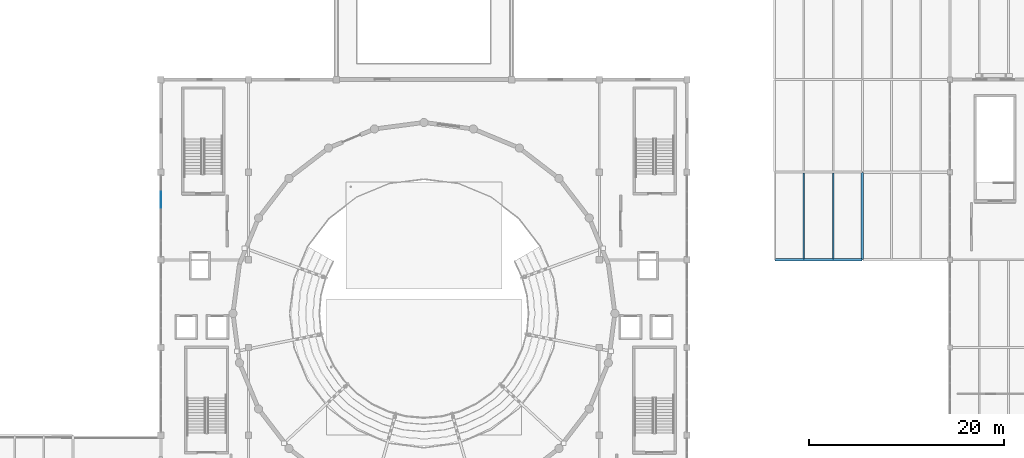
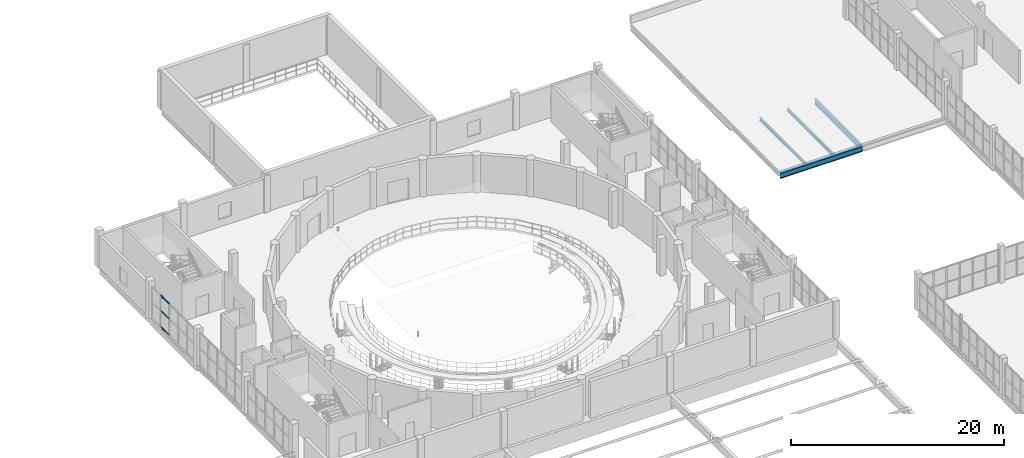
# One storey, part 23 of 54: 4 beams, 3 members, 1 element without a shape of its own.
"""IFC4 building model written with IfcOpenShell, lengths in metres."""

import ifcopenshell
import ifcopenshell.guid

model = None  # the IFC model being written
_history = None  # IfcOwnerHistory: only IFC2X3 demands one
_inside = {}  # id of a spatial element -> (the spatial element, [elements in it])
_under = {}  # id of a project, library or spatial element -> (it, [spatial elements below it])
_declared = {}  # id of a project -> (the project, [libraries it declares])
_typed = {}  # id of a type object -> (the type object, [elements of that type])
_made_of = {}  # id of a material, layer set ... -> (it, [elements and type objects made of it])


def new_model(schema):
    """Start an empty IFC model of exactly this schema.

    Asked for "IFC4X3", IfcOpenShell would pick the latest addendum, in which some entities
    have other attributes; the version numbers below select the first issue.
    IFC2X3 requires an IfcOwnerHistory on every rooted entity: one is made here for all.
    """
    global model, _history
    if schema == "IFC4X3":
        model = ifcopenshell.file(schema_version=(4, 3, 0, 0))
    else:
        model = ifcopenshell.file(schema=schema)
    _inside.clear()
    _under.clear()
    _declared.clear()
    _typed.clear()
    _made_of.clear()
    _history = None
    if model.schema == "IFC2X3":
        org = make("IfcOrganization", Name="unknown")
        user = make(
            "IfcPersonAndOrganization",
            ThePerson=make("IfcPerson", FamilyName="unknown"),
            TheOrganization=org,
        )
        app = make(
            "IfcApplication",
            ApplicationDeveloper=org,
            Version="unknown",
            ApplicationFullName="unknown",
            ApplicationIdentifier="unknown",
        )
        _history = make(
            "IfcOwnerHistory",
            OwningUser=user,
            OwningApplication=app,
            ChangeAction="ADDED",
            CreationDate=0,
        )
    return model


def make(cls, **values):
    """One entity of the class cls with the attributes given. An attribute that is None is left unset."""
    return model.create_entity(
        cls, **{name: value for name, value in values.items() if value is not None}
    )


def rooted(cls, **values):
    """An entity with a GlobalId (a new one), such as an element, a storey or a relation."""
    return make(cls, GlobalId=ifcopenshell.guid.new(), OwnerHistory=_history, **values)


def si_unit(unit_type, name, prefix=None):
    """IfcSIUnit, for example si_unit("LENGTHUNIT", "METRE", prefix="MILLI")."""
    return make("IfcSIUnit", UnitType=unit_type, Prefix=prefix, Name=name)


def assignment(units):
    """IfcUnitAssignment: the units of a project."""
    return None if units is None else make("IfcUnitAssignment", Units=units)


def point(xyz):
    """IfcCartesianPoint."""
    return None if xyz is None else make("IfcCartesianPoint", Coordinates=xyz)


def direction(xyz):
    """IfcDirection."""
    return None if xyz is None else make("IfcDirection", DirectionRatios=xyz)


def frame(location, z_axis=None, x_axis=None):
    """IfcAxis2Placement3D, a coordinate frame: its origin and axes. An axis left out is left unset."""
    return make(
        "IfcAxis2Placement3D",
        Location=point(location),
        Axis=direction(z_axis),
        RefDirection=direction(x_axis),
    )


def frame_2d(location, x_axis=None):
    """IfcAxis2Placement2D, a coordinate frame in the plane: its origin and x axis."""
    return make(
        "IfcAxis2Placement2D", Location=point(location), RefDirection=direction(x_axis)
    )


def origin():
    """The frame at (0, 0, 0) with its axes left unset."""
    return frame((0.0, 0.0, 0.0))


def origin_2d():
    """The frame at (0, 0) in the plane with its x axis left unset."""
    return frame_2d((0.0, 0.0))


def place(relative_to, where):
    """IfcLocalPlacement: puts the frame where relative to a parent placement (None: the world)."""
    return make(
        "IfcLocalPlacement", PlacementRelTo=relative_to, RelativePlacement=where
    )


def context(
    kind, dimensions, precision=None, world=None, true_north=None, identifier=None
):
    """IfcGeometricRepresentationContext, for example the 3D "Model" context."""
    return make(
        "IfcGeometricRepresentationContext",
        ContextIdentifier=identifier,
        ContextType=kind,
        CoordinateSpaceDimension=dimensions,
        Precision=precision,
        WorldCoordinateSystem=world,
        TrueNorth=true_north,
    )


def subcontext(parent, identifier, kind, view, scale=None):
    """IfcGeometricRepresentationSubContext, for example "Body" below "Model"."""
    return make(
        "IfcGeometricRepresentationSubContext",
        ContextIdentifier=identifier,
        ContextType=kind,
        ParentContext=parent,
        TargetScale=scale,
        TargetView=view,
    )


def project(units=None, contexts=None):
    """IfcProject with its units and contexts."""
    return rooted(
        "IfcProject",
        Name="project",
        RepresentationContexts=contexts,
        UnitsInContext=assignment(units),
    )


def spatial(cls, under=None, at=None, **own):
    """A site, building, storey or space (cls), placed at a placement, below another one or the project."""
    s = rooted(cls, ObjectPlacement=at, **own)
    if under is not None:
        _under.setdefault(under.id(), (under, []))[1].append(s)
    return s


def profile(cls, at=None, kind="AREA", **sizes):
    """A parametric profile (cls). Its sizes go by their IFC names, for example OverallWidth=200.0."""
    return make(cls, ProfileType=kind, Position=at, **sizes)


def rectangle(**sizes):
    """IfcRectangleProfileDef."""
    return profile("IfcRectangleProfileDef", **sizes)


def i_section(**sizes):
    """IfcIShapeProfileDef."""
    return profile("IfcIShapeProfileDef", **sizes)


def extrude(swept, where, along, depth):
    """IfcExtrudedAreaSolid: the profile swept, set in the frame where, extruded along a direction by depth."""
    return make(
        "IfcExtrudedAreaSolid",
        SweptArea=swept,
        Position=where,
        ExtrudedDirection=direction(along),
        Depth=depth,
    )


def shape(context_of_items, identifier, shape_type, items):
    """IfcShapeRepresentation: the items that make up one representation, for example the "Body"."""
    return make(
        "IfcShapeRepresentation",
        ContextOfItems=context_of_items,
        RepresentationIdentifier=identifier,
        RepresentationType=shape_type,
        Items=items,
    )


def material(Name=None, Category=None):
    """IfcMaterial."""
    return make("IfcMaterial", Name=Name, Category=Category)


def layer(
    of_material, thickness, ventilated=None, Name=None, Category=None, Priority=None
):
    """IfcMaterialLayer: one layer of a wall or slab, of a material (None: an air gap)."""
    return make(
        "IfcMaterialLayer",
        Material=of_material,
        LayerThickness=thickness,
        IsVentilated=ventilated,
        Name=Name,
        Category=Category,
        Priority=Priority,
    )


def layer_set(layers, Name=None):
    """IfcMaterialLayerSet."""
    return make("IfcMaterialLayerSet", MaterialLayers=layers, LayerSetName=Name)


def material_profile(
    of_material, cross_section, Name=None, Category=None, Priority=None
):
    """IfcMaterialProfile: a cross section and its material."""
    return make(
        "IfcMaterialProfile",
        Name=Name,
        Material=of_material,
        Profile=cross_section,
        Priority=Priority,
        Category=Category,
    )


def profile_set(profiles, Name=None, composite=None):
    """IfcMaterialProfileSet."""
    return make(
        "IfcMaterialProfileSet",
        Name=Name,
        MaterialProfiles=profiles,
        CompositeProfile=composite,
    )


def made_of(thing, what):
    """Note that an element or type object is made of a material, layer set ...; save() writes the relation."""
    if what is not None:
        _made_of.setdefault(what.id(), (what, []))[1].append(thing)
    return thing


def type_object(cls, material=None, **own):
    """A type object (cls), such as IfcWallType, which elements share."""
    return made_of(rooted(cls, **own), material)


def element(
    cls,
    number,
    at=None,
    inside=None,
    cuts=None,
    type_object=None,
    material=None,
    context=None,
    identifier="Body",
    shape_type=None,
    held_by="IfcProductDefinitionShape",
    body=None,
    shapes=None,
    **own,
):
    """One element of the class cls, such as IfcWall. Its Tag is "e" and its number.

    at: its placement. inside: the storey or other place that contains it. cuts: it is an
    opening in that element (IfcRelVoidsElement). A single representation is given by context,
    identifier, shape_type and body (its items); several are given by shapes. held_by: the class
    of the entity that holds the representations. save() writes the other relations.
    """
    e = rooted(cls, Tag="e%d" % number, ObjectPlacement=at, **own)
    if body is not None:
        shapes = [shape(context, identifier, shape_type, body)]
    if shapes is not None:
        e.Representation = make(held_by, Representations=shapes)
    if inside is not None:
        _inside.setdefault(inside.id(), (inside, []))[1].append(e)
    if cuts is not None:
        rooted(
            "IfcRelVoidsElement", RelatingBuildingElement=cuts, RelatedOpeningElement=e
        )
    if type_object is not None:
        _typed.setdefault(type_object.id(), (type_object, []))[1].append(e)
    return made_of(e, material)


def aggregate(whole, parts):
    """IfcRelAggregates: a whole, such as a stair, and the parts it consists of."""
    return rooted("IfcRelAggregates", RelatingObject=whole, RelatedObjects=parts)


def save(model, path):
    """Write the relations noted so far, then the file.

    IfcRelAggregates (storeys below a building ...), IfcRelContainedInSpatialStructure (elements
    in a storey), IfcRelDefinesByType, IfcRelAssociatesMaterial and IfcRelDeclares: one each for
    every whole, place, type object, material and project.
    """
    for whole, parts in _under.values():
        aggregate(whole, parts)
    for where, things in _inside.values():
        rooted(
            "IfcRelContainedInSpatialStructure",
            RelatedElements=things,
            RelatingStructure=where,
        )
    for kind, things in _typed.values():
        rooted("IfcRelDefinesByType", RelatedObjects=things, RelatingType=kind)
    for what, things in _made_of.values():
        rooted("IfcRelAssociatesMaterial", RelatedObjects=things, RelatingMaterial=what)
    for by, libraries in _declared.values():
        rooted("IfcRelDeclares", RelatingContext=by, RelatedDefinitions=libraries)
    model.write(path)


model = new_model("IFC4")

# Units and contexts
model_context = context("Model", 3, precision=1e-05, world=origin(), true_north=direction((0.0, 1.0)))
body_context = subcontext(model_context, "Body", "Model", "MODEL_VIEW")
ifc_project = project(units=[si_unit("LENGTHUNIT", "METRE"), si_unit("AREAUNIT", "SQUARE_METRE"), si_unit("VOLUMEUNIT", "CUBIC_METRE"), si_unit("PLANEANGLEUNIT", "RADIAN"), si_unit("MASSUNIT", "GRAM", prefix="KILO")], contexts=[model_context])

# Site, building, storey
site_placement = place(None, origin())
site = spatial("IfcSite", under=ifc_project, at=site_placement, CompositionType="ELEMENT")
building_placement = place(site_placement, origin())
building = spatial("IfcBuilding", under=site, at=building_placement, Name="Marnock Terrace Opera House", CompositionType="ELEMENT")
storey_placement = place(building_placement, frame((0.0, 0.0, 19.199951171875)))
storey = spatial("IfcBuildingStorey", under=building, at=storey_placement, Name="L04", CompositionType="ELEMENT", Elevation=19.199951171875)

# Beams
ifc_material_1 = material(Name="Steel Grade 350 (AS/NZS 3679.1)", Category="steel")
ifc_material_profile_1 = material_profile(ifc_material_1, i_section(OverallWidth=0.22802734375, OverallDepth=0.60693359375, WebThickness=0.01123046875, FlangeThickness=0.017333984375, FilletRadius=0.013916015625, at=origin_2d()))
ifc_profile_set_1 = profile_set([ifc_material_profile_1], Name="Steel Grade 350 (AS/NZS 3679.1)")
beam_type_1 = type_object("IfcBeamType", Name="BM-GIRD-610B", PredefinedType="BEAM", material=ifc_profile_set_1)
beam_1_placement = place(storey_placement, frame((118.050048828125, 66.0, -0.5234375), z_axis=(1.0, 0.0, 0.0), x_axis=(0.0, 1.0, 0.0)))
element("IfcBeam", 1, at=beam_1_placement, inside=storey, type_object=beam_type_1, Name="L04 girder (118.0..127.0, Y=66.0)", PredefinedType="BEAM", context=body_context, shape_type="SweptSolid", body=[
    extrude(i_section(OverallWidth=0.22802734375, OverallDepth=0.60693359375, WebThickness=0.01123046875, FlangeThickness=0.017333984375, FilletRadius=0.013916015625, at=origin_2d()), origin(), (0.0, 0.0, 1.0), 8.89990234375),
])
ifc_material_profile_2 = material_profile(ifc_material_1, i_section(OverallWidth=0.22802734375, OverallDepth=0.60205078125, WebThickness=0.010498046875, FlangeThickness=0.014892578125, FilletRadius=0.013916015625, at=origin_2d()))
ifc_profile_set_2 = profile_set([ifc_material_profile_2], Name="Steel Grade 350 (AS/NZS 3679.1)")
beam_type_2 = type_object("IfcBeamType", Name="BM-GIRD-610C", PredefinedType="BEAM", material=ifc_profile_set_2)
beam_2_placement = place(storey_placement, frame((127.0, 66.050048828125, -0.52099609375), z_axis=(0.0, 1.0, 0.0), x_axis=(-1.0, 0.0, 0.0)))
element("IfcBeam", 2, at=beam_2_placement, inside=storey, type_object=beam_type_2, Name="L04 girder (X=127.0, 66.0..75.0)", PredefinedType="BEAM", context=body_context, shape_type="SweptSolid", body=[
    extrude(i_section(OverallWidth=0.22802734375, OverallDepth=0.60205078125, WebThickness=0.010498046875, FlangeThickness=0.014892578125, FilletRadius=0.013916015625, at=origin_2d()), origin(), (0.0, 0.0, 1.0), 8.89990234375),
])
ifc_material_profile_3 = material_profile(ifc_material_1, i_section(OverallWidth=0.172119140625, OverallDepth=0.358642578125, WebThickness=0.008056640625, FlangeThickness=0.012939453125, FilletRadius=0.011474609375, at=origin_2d()))
ifc_profile_set_3 = profile_set([ifc_material_profile_3], Name="Steel Grade 350 (AS/NZS 3679.1)")
beam_type_3 = type_object("IfcBeamType", Name="BM-JOIST-360", PredefinedType="JOIST", material=ifc_profile_set_3)
for number, where, z_axis, x_axis, name in (
    (3, (121.0, 66.10888671875, -0.399169921875), (0.0, 1.0, 0.0), (-1.0, 0.0, 0.0), "L04 secondary joist 13.8.1"),
    (4, (124.0, 66.10888671875, -0.399169921875), (0.0, 1.0, 0.0), (-1.0, 0.0, 0.0), "L04 secondary joist 13.8.2"),
):
    element("IfcBeam", number, at=place(storey_placement, frame(where, z_axis=z_axis, x_axis=x_axis)), inside=storey, type_object=beam_type_3, Name=name, PredefinedType="JOIST", context=body_context, shape_type="SweptSolid", body=[
        extrude(i_section(OverallWidth=0.172119140625, OverallDepth=0.358642578125, WebThickness=0.008056640625, FlangeThickness=0.012939453125, FilletRadius=0.011474609375, at=origin_2d()), origin(), (0.0, 0.0, 1.0), 8.79150390625),
    ])

# Curtain wall, members
ifc_material_2 = material(Name="Anodised architectural bronze aluminium framing", Category="aluminium")
ifc_layer = layer(ifc_material_2, 0.159912109375)
ifc_layer_set = layer_set([ifc_layer], Name="Anodised architectural bronze aluminium framing")
curtain_wall_type = type_object("IfcCurtainWallType", Name="CW-DRUM-71x39", PredefinedType="NOTDEFINED", material=ifc_layer_set)
curtain_wall_placement = place(storey_placement, origin())
curtain_wall = element("IfcCurtainWall", 5, at=curtain_wall_placement, inside=storey, type_object=curtain_wall_type, Name="L04 glazed Beaux-Arts colonnade curtain wall CW-L04-V1W4", PredefinedType="NOTDEFINED")
ifc_material_profile_4 = material_profile(ifc_material_2, rectangle(XDim=0.06005859375, YDim=0.1298828125, at=origin_2d()))
ifc_profile_set_4 = profile_set([ifc_material_profile_4], Name="Anodised architectural bronze aluminium framing")
member_type = type_object("IfcMemberType", Name="CWT-60x130", PredefinedType="USERDEFINED", material=ifc_profile_set_4)
member_1_placement = place(storey_placement, frame((55.0, 71.36572265625, 0.030029296875), z_axis=(0.0, 1.0, 0.0), x_axis=(-1.0, 0.0, 0.0)))
member_1 = element("IfcMember", 6, at=member_1_placement, type_object=member_type, Name="CW-76 transom 4.1", ObjectType="TRANSOM", PredefinedType="USERDEFINED", context=body_context, shape_type="SweptSolid", body=[
    extrude(rectangle(XDim=0.06005859375, YDim=0.1298828125, at=origin_2d()), origin(), (0.0, 0.0, 1.0), 1.611572265625),
])
member_2_placement = place(storey_placement, frame((55.0, 71.36572265625, 1.88134765625), z_axis=(0.0, 1.0, 0.0), x_axis=(-1.0, 0.0, 0.0)))
member_2 = element("IfcMember", 7, at=member_2_placement, type_object=member_type, Name="CW-76 transom 4.2", ObjectType="TRANSOM", PredefinedType="USERDEFINED", context=body_context, shape_type="SweptSolid", body=[
    extrude(rectangle(XDim=0.06005859375, YDim=0.1298828125, at=origin_2d()), origin(), (0.0, 0.0, 1.0), 1.611572265625),
])
member_3_placement = place(storey_placement, frame((55.0, 71.36572265625, 3.588134765625), z_axis=(0.0, 1.0, 0.0), x_axis=(-1.0, 0.0, 0.0)))
member_3 = element("IfcMember", 8, at=member_3_placement, type_object=member_type, Name="CW-76 transom 4.3", ObjectType="TRANSOM", PredefinedType="USERDEFINED", context=body_context, shape_type="SweptSolid", body=[
    extrude(rectangle(XDim=0.06005859375, YDim=0.1298828125, at=origin_2d()), origin(), (0.0, 0.0, 1.0), 1.611572265625),
])
aggregate(curtain_wall, [member_1, member_2, member_3])

save(model, "model.ifc")
